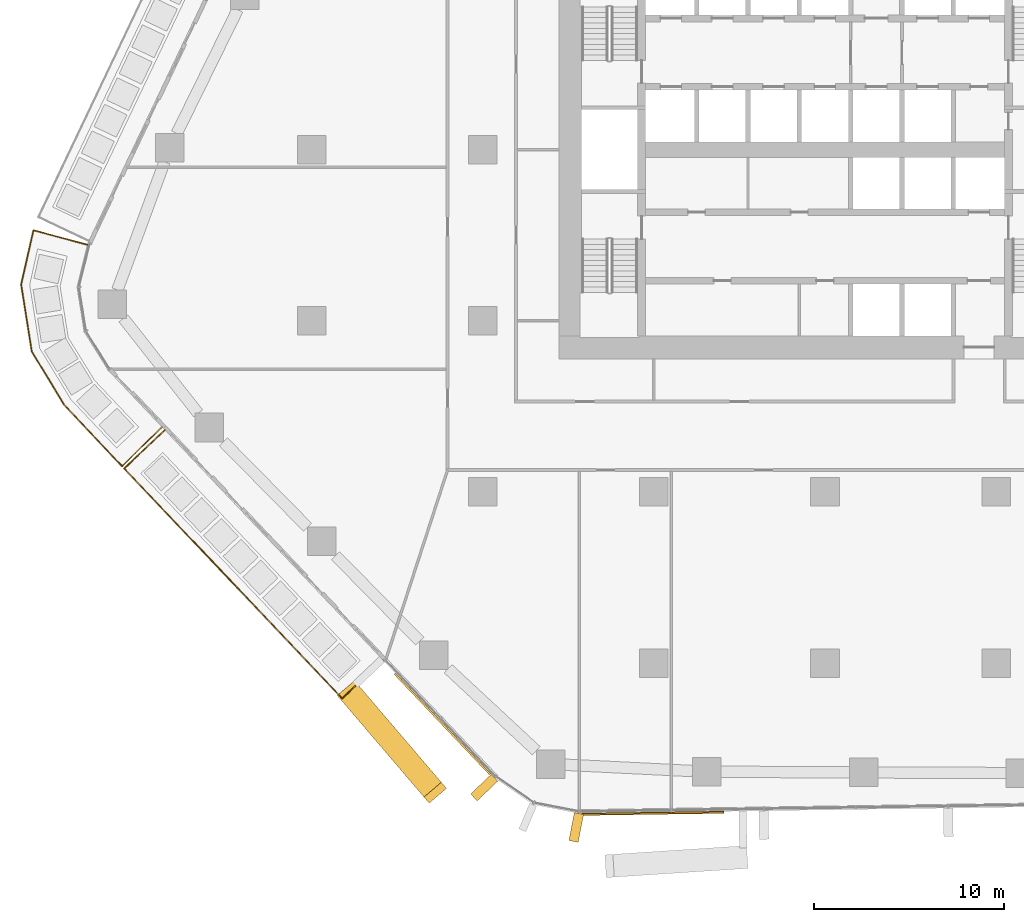
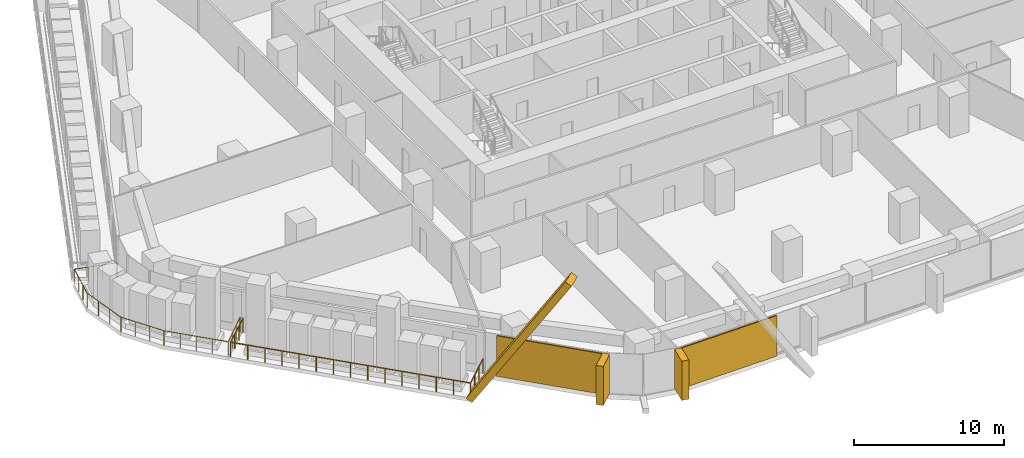
# One storey, part 19 of 24: 5 coverings, 2 railings, 3 elements without a shape of their own.
"""IFC4 building model written with IfcOpenShell, lengths in metres."""

from ifc_helpers import new_model, si_unit, direction, frame, origin, origin_2d, place, context, subcontext, project, spatial, rectangle, circle, extrude, material, layer, layer_set, material_profile, profile_set, type_object, element, aggregate, save


model = new_model("IFC4")

# Units and contexts
model_context = context("Model", 3, precision=1e-05, world=origin(), true_north=direction((0.0, 1.0)))
body_context = subcontext(model_context, "Body", "Model", "MODEL_VIEW")
ifc_project = project(units=[si_unit("LENGTHUNIT", "METRE"), si_unit("AREAUNIT", "SQUARE_METRE"), si_unit("VOLUMEUNIT", "CUBIC_METRE"), si_unit("PLANEANGLEUNIT", "RADIAN"), si_unit("MASSUNIT", "GRAM", prefix="KILO")], contexts=[model_context])

# Site, building, storey
site_placement = place(None, origin())
site = spatial("IfcSite", under=ifc_project, at=site_placement, CompositionType="ELEMENT")
building_placement = place(site_placement, origin())
building = spatial("IfcBuilding", under=site, at=building_placement, Name="Dongbaek Canopy Tower", CompositionType="ELEMENT")
storey_placement = place(building_placement, frame((0.0, 0.0, 51.39990234375)))
storey = spatial("IfcBuildingStorey", under=building, at=storey_placement, Name="L08", CompositionType="ELEMENT", Elevation=51.39990234375)

# Railings
ifc_material_1 = material(Name="Stainless steel", Category="steel")
railing_type = type_object("IfcRailingType", Name="Balcony balustrade 1200", PredefinedType="BALUSTRADE", material=ifc_material_1)
railing_1_placement = place(storey_placement, frame((-34.720703125, -14.746826171875, 0.0)))
element("IfcRailing", 1, at=railing_1_placement, inside=storey, type_object=railing_type, Name="Balcony guard L08 3", PredefinedType="BALUSTRADE", context=body_context, shape_type="SweptSolid", body=[
    extrude(circle(Radius=0.02392578125, at=origin_2d()), frame((0.0, 0.0, 1.17578125), z_axis=(-0.725625280922, -0.688090075271, 0.0), x_axis=(0.688090075271, -0.725625280922, 0.0)), (0.0, 0.0, 1.0), 2.93994140625),
    extrude(circle(Radius=0.02392578125, at=origin_2d()), frame((-2.13330078125, -2.02294921875, 1.17578125), z_axis=(0.688087592456, -0.725627635298, 0.0), x_axis=(0.725627635298, 0.688087592456, 0.0)), (0.0, 0.0, 1.0), 16.661865234375),
    extrude(circle(Radius=0.02392578125, at=origin_2d()), frame((9.33154296875, -14.11328125, 1.17578125), z_axis=(0.725664595326, 0.6880486139, 0.0), x_axis=(-0.6880486139, 0.725664595326, 0.0)), (0.0, 0.0, 1.0), 2.940185546875),
    extrude(circle(Radius=0.02099609375, at=origin_2d()), origin(), (0.0, 0.0, 1.0), 1.15185546875),
    extrude(circle(Radius=0.02099609375, at=origin_2d()), frame((-0.711181640625, -0.67431640625, 0.0)), (0.0, 0.0, 1.0), 1.15185546875),
    extrude(circle(Radius=0.02099609375, at=origin_2d()), frame((-1.422119140625, -1.3486328125, 0.0)), (0.0, 0.0, 1.0), 1.15185546875),
    extrude(circle(Radius=0.02099609375, at=origin_2d()), frame((-2.13330078125, -2.02294921875, 0.0)), (0.0, 0.0, 1.0), 1.15185546875),
    extrude(circle(Radius=0.02099609375, at=origin_2d()), frame((-1.314453125, -2.886474609375, 0.0)), (0.0, 0.0, 1.0), 1.15185546875),
    extrude(circle(Radius=0.02099609375, at=origin_2d()), frame((-0.495361328125, -3.750244140625, 0.0)), (0.0, 0.0, 1.0), 1.15185546875),
    extrude(circle(Radius=0.02099609375, at=origin_2d()), frame((0.323486328125, -4.61376953125, 0.0)), (0.0, 0.0, 1.0), 1.15185546875),
    extrude(circle(Radius=0.02099609375, at=origin_2d()), frame((1.142333984375, -5.477294921875, 0.0)), (0.0, 0.0, 1.0), 1.15185546875),
    extrude(circle(Radius=0.02099609375, at=origin_2d()), frame((1.961181640625, -6.3408203125, 0.0)), (0.0, 0.0, 1.0), 1.15185546875),
    extrude(circle(Radius=0.02099609375, at=origin_2d()), frame((2.7802734375, -7.20458984375, 0.0)), (0.0, 0.0, 1.0), 1.15185546875),
    extrude(circle(Radius=0.02099609375, at=origin_2d()), frame((3.59912109375, -8.068115234375, 0.0)), (0.0, 0.0, 1.0), 1.15185546875),
    extrude(circle(Radius=0.02099609375, at=origin_2d()), frame((4.41796875, -8.931640625, 0.0)), (0.0, 0.0, 1.0), 1.15185546875),
    extrude(circle(Radius=0.02099609375, at=origin_2d()), frame((5.237060546875, -9.79541015625, 0.0)), (0.0, 0.0, 1.0), 1.15185546875),
    extrude(circle(Radius=0.02099609375, at=origin_2d()), frame((6.055908203125, -10.658935546875, 0.0)), (0.0, 0.0, 1.0), 1.15185546875),
    extrude(circle(Radius=0.02099609375, at=origin_2d()), frame((6.874755859375, -11.5224609375, 0.0)), (0.0, 0.0, 1.0), 1.15185546875),
    extrude(circle(Radius=0.02099609375, at=origin_2d()), frame((7.693603515625, -12.385986328125, 0.0)), (0.0, 0.0, 1.0), 1.15185546875),
    extrude(circle(Radius=0.02099609375, at=origin_2d()), frame((8.5126953125, -13.249755859375, 0.0)), (0.0, 0.0, 1.0), 1.15185546875),
    extrude(circle(Radius=0.02099609375, at=origin_2d()), frame((9.33154296875, -14.11328125, 0.0)), (0.0, 0.0, 1.0), 1.15185546875),
    extrude(circle(Radius=0.02099609375, at=origin_2d()), frame((10.042724609375, -13.43896484375, 0.0)), (0.0, 0.0, 1.0), 1.15185546875),
    extrude(circle(Radius=0.02099609375, at=origin_2d()), frame((10.75390625, -12.7646484375, 0.0)), (0.0, 0.0, 1.0), 1.15185546875),
    extrude(circle(Radius=0.02099609375, at=origin_2d()), frame((11.465087890625, -12.09033203125, 0.0)), (0.0, 0.0, 1.0), 1.15185546875),
])
railing_2_placement = place(storey_placement, frame((-38.790771484375, -5.00390625, 0.0)))
element("IfcRailing", 2, at=railing_2_placement, inside=storey, type_object=railing_type, Name="Balcony guard L08 6", PredefinedType="BALUSTRADE", context=body_context, shape_type="SweptSolid", body=[
    extrude(circle(Radius=0.02392578125, at=origin_2d()), frame((0.0, 0.0, 1.17578125), z_axis=(-0.965309681674, 0.261107676001, 0.0), x_axis=(-0.261107676001, -0.965309681674, 0.0)), (0.0, 0.0, 1.0), 2.940673828125),
    extrude(circle(Radius=0.02392578125, at=origin_2d()), frame((-2.838623046875, 0.767822265625, 1.17578125), z_axis=(-0.221750914522, -0.97510334422, 0.0), x_axis=(0.97510334422, -0.221750914522, 0.0)), (0.0, 0.0, 1.0), 2.92626953125),
    extrude(circle(Radius=0.02392578125, at=origin_2d()), frame((-3.487548828125, -2.085693359375, 1.17578125), z_axis=(0.156645480474, -0.987654895926, 0.0), x_axis=(0.987654895926, 0.156645480474, 0.0)), (0.0, 0.0, 1.0), 3.561279296875),
    extrude(circle(Radius=0.02392578125, at=origin_2d()), frame((-2.9296875, -5.60302734375, 1.17578125), z_axis=(0.518278551245, -0.855211870427, 0.0), x_axis=(0.855211870427, 0.518278551245, 0.0)), (0.0, 0.0, 1.0), 3.27001953125),
    extrude(circle(Radius=0.02392578125, at=origin_2d()), frame((-1.23486328125, -8.399658203125, 1.17578125), z_axis=(0.685685287225, -0.727898129468, 0.0), x_axis=(0.727898129468, 0.685685287225, 0.0)), (0.0, 0.0, 1.0), 4.46484375),
    extrude(circle(Radius=0.02392578125, at=origin_2d()), frame((1.82666015625, -11.649658203125, 1.17578125), z_axis=(0.711452226048, 0.702734466247, 0.0), x_axis=(-0.702734466247, 0.711452226048, 0.0)), (0.0, 0.0, 1.0), 2.9404296875),
    extrude(circle(Radius=0.02099609375, at=origin_2d()), origin(), (0.0, 0.0, 1.0), 1.15185546875),
    extrude(circle(Radius=0.02099609375, at=origin_2d()), frame((-0.9462890625, 0.255859375, 0.0)), (0.0, 0.0, 1.0), 1.15185546875),
    extrude(circle(Radius=0.02099609375, at=origin_2d()), frame((-1.892333984375, 0.511962890625, 0.0)), (0.0, 0.0, 1.0), 1.15185546875),
    extrude(circle(Radius=0.02099609375, at=origin_2d()), frame((-2.838623046875, 0.767822265625, 0.0)), (0.0, 0.0, 1.0), 1.15185546875),
    extrude(circle(Radius=0.02099609375, at=origin_2d()), frame((-3.054931640625, -0.183349609375, 0.0)), (0.0, 0.0, 1.0), 1.15185546875),
    extrude(circle(Radius=0.02099609375, at=origin_2d()), frame((-3.271240234375, -1.134521484375, 0.0)), (0.0, 0.0, 1.0), 1.15185546875),
    extrude(circle(Radius=0.02099609375, at=origin_2d()), frame((-3.487548828125, -2.085693359375, 0.0)), (0.0, 0.0, 1.0), 1.15185546875),
    extrude(circle(Radius=0.02099609375, at=origin_2d()), frame((-3.301513671875, -3.258056640625, 0.0)), (0.0, 0.0, 1.0), 1.15185546875),
    extrude(circle(Radius=0.02099609375, at=origin_2d()), frame((-3.11572265625, -4.4306640625, 0.0)), (0.0, 0.0, 1.0), 1.15185546875),
    extrude(circle(Radius=0.02099609375, at=origin_2d()), frame((-2.9296875, -5.60302734375, 0.0)), (0.0, 0.0, 1.0), 1.15185546875),
    extrude(circle(Radius=0.02099609375, at=origin_2d()), frame((-2.36474609375, -6.53515625, 0.0)), (0.0, 0.0, 1.0), 1.15185546875),
    extrude(circle(Radius=0.02099609375, at=origin_2d()), frame((-1.7998046875, -7.467529296875, 0.0)), (0.0, 0.0, 1.0), 1.15185546875),
    extrude(circle(Radius=0.02099609375, at=origin_2d()), frame((-1.23486328125, -8.399658203125, 0.0)), (0.0, 0.0, 1.0), 1.15185546875),
    extrude(circle(Radius=0.02099609375, at=origin_2d()), frame((-0.469482421875, -9.212158203125, 0.0)), (0.0, 0.0, 1.0), 1.15185546875),
    extrude(circle(Radius=0.02099609375, at=origin_2d()), frame((0.2958984375, -10.024658203125, 0.0)), (0.0, 0.0, 1.0), 1.15185546875),
    extrude(circle(Radius=0.02099609375, at=origin_2d()), frame((1.061279296875, -10.837158203125, 0.0)), (0.0, 0.0, 1.0), 1.15185546875),
    extrude(circle(Radius=0.02099609375, at=origin_2d()), frame((1.82666015625, -11.649658203125, 0.0)), (0.0, 0.0, 1.0), 1.15185546875),
    extrude(circle(Radius=0.02099609375, at=origin_2d()), frame((2.52392578125, -10.9609375, 0.0)), (0.0, 0.0, 1.0), 1.15185546875),
    extrude(circle(Radius=0.02099609375, at=origin_2d()), frame((3.221435546875, -10.27197265625, 0.0)), (0.0, 0.0, 1.0), 1.15185546875),
    extrude(circle(Radius=0.02099609375, at=origin_2d()), frame((3.918701171875, -9.583251953125, 0.0)), (0.0, 0.0, 1.0), 1.15185546875),
])

# Curtain wall, coverings
ifc_material_2 = material(Name="Aluminium 6063-T6 pale anodised", Category="aluminium")
ifc_layer_1 = layer(ifc_material_2, 0.199951171875)
ifc_layer_set_1 = layer_set([ifc_layer_1], Name="CW-1 unitised tower curtain wall")
curtain_wall_type = type_object("IfcCurtainWallType", Name="CW-1 unitised tower curtain wall", PredefinedType="NOTDEFINED", material=ifc_layer_set_1)
curtain_wall_1_placement = place(storey_placement, origin())
curtain_wall_1 = element("IfcCurtainWall", 3, at=curtain_wall_1_placement, inside=storey, type_object=curtain_wall_type, Name="CW-1 curtain wall F3.1", PredefinedType="NOTDEFINED")
ifc_material_3 = material(Name="Aluminium 6063-T6 pale metal fin", Category="aluminium")
ifc_material_profile_1 = material_profile(ifc_material_3, rectangle(XDim=1.199951171875, YDim=0.5, at=origin_2d()), Name="Crease fin CF1 500 x 1200 pale metal")
ifc_profile_set_1 = profile_set([ifc_material_profile_1], Name="Aluminium 6063-T6 pale metal fin")
covering_type_1 = type_object("IfcCoveringType", Name="Crease fin CF1 500 x 1200 pale metal", PredefinedType="CLADDING", material=ifc_profile_set_1)
covering_1_placement = place(storey_placement, frame((-25.06201171875, -28.47802734375, -0.199951171875), z_axis=(0.347366602775, -0.406831275588, 0.844881504402), x_axis=(0.76049839505, 0.649339811752, 0.0)))
covering_1 = element("IfcCovering", 4, at=covering_1_placement, type_object=covering_type_1, Name="Crease fin L08 L11 F3", PredefinedType="CLADDING", context=body_context, shape_type="SweptSolid", body=[
    extrude(rectangle(XDim=1.199951171875, YDim=0.5, at=origin_2d()), origin(), (0.0, 0.0, 1.0), 13.137939453125),
])
ifc_material_4 = material(Name="Perforated aluminium 6063-T6 pale metal screen", Category="aluminium")
ifc_layer_2 = layer(ifc_material_4, 0.10009765625)
ifc_layer_set_2 = layer_set([ifc_layer_2], Name="Facet screen FS1 100 pale metal")
covering_type_2 = type_object("IfcCoveringType", Name="Facet screen FS1 100 pale metal", PredefinedType="CLADDING", material=ifc_layer_set_2)
covering_2_placement = place(storey_placement, frame((-20.12109375, -30.209716796875, 0.0), z_axis=(0.0, 0.0, 1.0), x_axis=(0.688088665871, -0.725626617414, 0.0)))
covering_2 = element("IfcCovering", 5, at=covering_2_placement, type_object=covering_type_2, Name="Facet screen L08 F3", PredefinedType="CLADDING", context=body_context, shape_type="SweptSolid", body=[
    extrude(rectangle(XDim=7.29345703125, YDim=0.10009765625, at=origin_2d()), origin(), (0.0, 0.0, 1.0), 3.300048828125),
])

# Curtain wall, covering
curtain_wall_2_placement = place(storey_placement, origin())
curtain_wall_2 = element("IfcCurtainWall", 6, at=curtain_wall_2_placement, inside=storey, type_object=curtain_wall_type, Name="CW-1 curtain wall F4.1", PredefinedType="NOTDEFINED")
covering_3_placement = place(storey_placement, frame((-9.0703125, -34.90234375, 0.0), z_axis=(0.0, 0.0, 1.0), x_axis=(0.999893146109, 0.014618357116, 0.0)))
covering_3 = element("IfcCovering", 7, at=covering_3_placement, type_object=covering_type_2, Name="Facet screen L08 F4", PredefinedType="CLADDING", context=body_context, shape_type="SweptSolid", body=[
    extrude(rectangle(XDim=7.4677734375, YDim=0.10009765625, at=origin_2d()), origin(), (0.0, 0.0, 1.0), 3.300048828125),
])
aggregate(curtain_wall_2, [covering_3])

# Covering
ifc_material_5 = material(Name="Aluminium 6063-T6 pale metal fin", Category="aluminium")
ifc_material_profile_2 = material_profile(ifc_material_5, rectangle(XDim=1.5, YDim=0.5, at=origin_2d()), Name="Fin FN1 500 x 1500 pale metal")
ifc_profile_set_2 = profile_set([ifc_material_profile_2], Name="Aluminium 6063-T6 pale metal fin")
covering_type_3 = type_object("IfcCoveringType", Name="Fin FN1 500 x 1500 pale metal", PredefinedType="CLADDING", material=ifc_profile_set_2)
covering_4_placement = place(storey_placement, frame((-17.923095703125, -33.550537109375, 0.1201171875), z_axis=(0.0, 0.0, 1.0), x_axis=(-0.725626548924, -0.688088738098, 0.0)))
covering_4 = element("IfcCovering", 8, at=covering_4_placement, type_object=covering_type_3, Name="Fin F3.1.3", PredefinedType="CLADDING", context=body_context, shape_type="SweptSolid", body=[
    extrude(rectangle(XDim=1.5, YDim=0.5, at=origin_2d()), origin(), (0.0, 0.0, 1.0), 3.179931640625),
])

aggregate(curtain_wall_1, [covering_4, covering_1, covering_2])

# Curtain wall, covering
curtain_wall_3_placement = place(storey_placement, origin())
curtain_wall_3 = element("IfcCurtainWall", 9, at=curtain_wall_3_placement, inside=storey, type_object=curtain_wall_type, Name="CW-1 curtain wall K4.1", PredefinedType="NOTDEFINED")
covering_5_placement = place(storey_placement, frame((-13.083740234375, -35.647216796875, 0.1201171875), z_axis=(0.0, 0.0, 1.0), x_axis=(-0.190843757955, -0.981620425648, 0.0)))
covering_5 = element("IfcCovering", 10, at=covering_5_placement, type_object=covering_type_3, Name="Fin K4.1.3", PredefinedType="CLADDING", context=body_context, shape_type="SweptSolid", body=[
    extrude(rectangle(XDim=1.5, YDim=0.5, at=origin_2d()), origin(), (0.0, 0.0, 1.0), 3.179931640625),
])
aggregate(curtain_wall_3, [covering_5])

save(model, "model.ifc")
